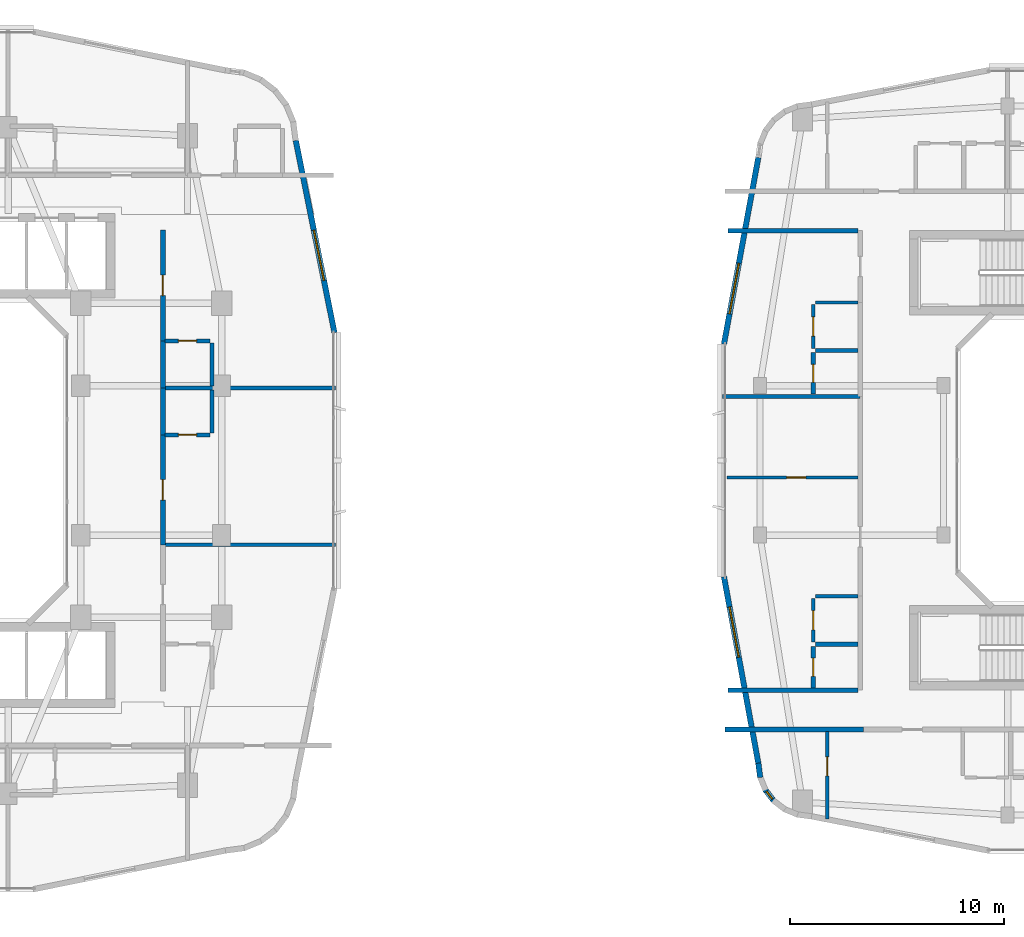
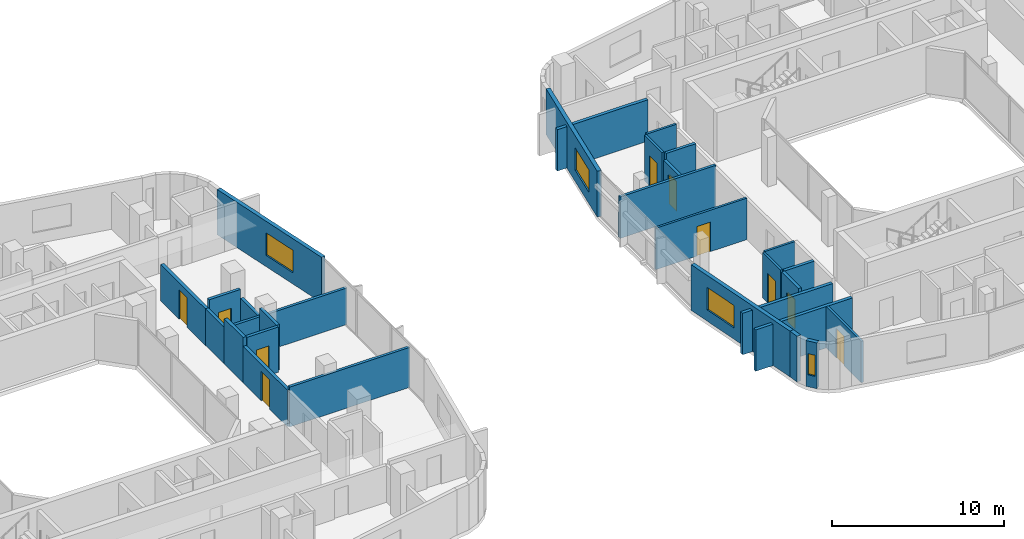
# One storey, part 15 of 26: 29 walls, 10 doors, 4 windows, 14 openings.
"""IFC4 building model written with IfcOpenShell, lengths in metres."""

from ifc_helpers import new_model, si_unit, derived_unit, direction, frame, frame_2d, origin, place, context, subcontext, project, spatial, rectangle, extrude, material, layer, layer_set, type_object, element, fill, save


model = new_model("IFC4")

# Units and contexts
model_context = context("Model", 3, precision=1e-05, world=origin(), true_north=direction((0.0, 1.0)))
body_context = subcontext(model_context, "Body", "Model", "MODEL_VIEW")
ifc_project = project(units=[si_unit("LENGTHUNIT", "METRE"), si_unit("AREAUNIT", "SQUARE_METRE"), si_unit("VOLUMEUNIT", "CUBIC_METRE"), si_unit("PLANEANGLEUNIT", "RADIAN"), si_unit("MASSUNIT", "GRAM", prefix="KILO"), derived_unit("THERMALTRANSMITTANCEUNIT", [(si_unit("POWERUNIT", "WATT"), 1), (si_unit("LENGTHUNIT", "METRE"), -2), (si_unit("THERMODYNAMICTEMPERATUREUNIT", "KELVIN"), -1)])], contexts=[model_context])

# Site, building, storey
site_placement = place(None, origin())
site = spatial("IfcSite", under=ifc_project, at=site_placement, CompositionType="ELEMENT")
building_placement = place(site_placement, origin())
building = spatial("IfcBuilding", under=site, at=building_placement, Name="Kivonza Crest Hotel", CompositionType="ELEMENT")
storey_placement = place(building_placement, frame((0.0, 0.0, 105.5)))
storey = spatial("IfcBuildingStorey", under=building, at=storey_placement, Name="L28", CompositionType="ELEMENT", Elevation=105.5)

# Walls
ifc_material_1 = material(Name="High-density acoustic masonry inter-tenancy wall", Category="masonry")
ifc_layer_1 = layer(ifc_material_1, 0.179931640625)
ifc_layer_set_1 = layer_set([ifc_layer_1], Name="High-density acoustic masonry inter-tenancy wall")
wall_type_1 = type_object("IfcWallType", Name="WL-ACOU-180", PredefinedType="SOLIDWALL", material=ifc_layer_set_1)
wall_1_placement = place(storey_placement, frame((33.050048828125, 21.049072265625, 0.0), z_axis=(0.0, 0.0, 1.0), x_axis=(1.0, 0.0, 0.0)))
element("IfcWall", 1, at=wall_1_placement, inside=storey, type_object=wall_type_1, Name="L28 interior partition WA-L28-T1E-DIV1", PredefinedType="SOLIDWALL", context=body_context, shape_type="SweptSolid", body=[
    extrude(rectangle(XDim=8.08984375, YDim=0.179931640625, at=frame_2d((4.044921875, 0.0))), origin(), (0.0, 0.0, 1.0), 2.8349609375),
])
wall_2_placement = place(storey_placement, frame((33.050048828125, 28.39306640625, 0.0), z_axis=(0.0, 0.0, 1.0), x_axis=(1.0, 0.0, 0.0)))
element("IfcWall", 2, at=wall_2_placement, inside=storey, type_object=wall_type_1, Name="L28 interior partition WA-L28-T1E-DIV2", PredefinedType="SOLIDWALL", context=body_context, shape_type="SweptSolid", body=[
    extrude(rectangle(XDim=8.08984375, YDim=0.179931640625, at=frame_2d((4.044921875, 0.0))), origin(), (0.0, 0.0, 1.0), 2.594970703125),
])
wall_3_placement = place(storey_placement, frame((59.260009765625, 28.0, 0.0), z_axis=(0.0, 0.0, 1.0), x_axis=(1.0, 0.0, 0.0)))
element("IfcWall", 3, at=wall_3_placement, inside=storey, type_object=wall_type_1, Name="L28 interior partition WA-L28-T2W-DIV1", PredefinedType="SOLIDWALL", context=body_context, shape_type="SweptSolid", body=[
    extrude(rectangle(XDim=6.43994140625, YDim=0.179931640625, at=frame_2d((3.219970703125, 0.0))), origin(), (0.0, 0.0, 1.0), 2.945068359375),
])
ifc_material_2 = material(Name="Autoclaved aerated concrete blockwork", Category="masonry")
ifc_layer_2 = layer(ifc_material_2, 0.219970703125)
ifc_layer_set_2 = layer_set([ifc_layer_2], Name="Autoclaved aerated concrete blockwork")
wall_type_2 = type_object("IfcWallType", Name="WL-ACOU-220", PredefinedType="SOLIDWALL", material=ifc_layer_set_2)
wall_4_placement = place(storey_placement, frame((33.050048828125, 26.193115234375, 0.0), z_axis=(0.0, 0.0, 1.0), x_axis=(0.0, 1.0, 0.0)))
element("IfcWall", 4, at=wall_4_placement, inside=storey, type_object=wall_type_2, Name="L28 interior partition WA-L28-E11-BCORR", PredefinedType="SOLIDWALL", context=body_context, shape_type="SweptSolid", body=[
    extrude(rectangle(XDim=2.199951171875, YDim=0.219970703125, at=frame_2d((1.10009765625, 0.0))), origin(), (0.0, 0.0, 1.0), 3.219970703125),
])

# Wall, opening, door
wall_5_placement = place(storey_placement, frame((33.050048828125, 21.049072265625, 0.0), z_axis=(0.0, 0.0, 1.0), x_axis=(0.0, 1.0, 0.0)))
wall_5 = element("IfcWall", 5, at=wall_5_placement, inside=storey, type_object=wall_type_2, Name="L28 interior partition WA-L28-E11-MCORR", PredefinedType="SOLIDWALL", context=body_context, shape_type="SweptSolid", body=[
    extrude(rectangle(XDim=5.14404296875, YDim=0.219970703125, at=frame_2d((2.572021484375, 0.0))), origin(), (0.0, 0.0, 1.0), 2.594970703125),
])
opening_1_placement = place(wall_5_placement, frame((2.096923828125, 0.0, 0.0)))
opening_1 = element("IfcOpeningElement", 6, at=opening_1_placement, cuts=wall_5, Name="Opening DU-60", PredefinedType="OPENING", context=body_context, shape_type="SweptSolid", body=[
    extrude(rectangle(XDim=0.949951171875, YDim=2.10009765625, at=frame_2d((0.47509765625, 1.050048828125))), frame((0.0, 0.1201171875, 0.0), z_axis=(0.0, -1.0, 0.0), x_axis=(1.0, 0.0, 0.0)), (0.0, 0.0, 1.0), 0.239990234375),
])
ifc_material_3 = material(Name="Hardwood timber oak", Category="wood")
door_type_1 = type_object("IfcDoorType", Name="DR-UNIT-950", OperationType="NOTDEFINED", PredefinedType="DOOR", material=ifc_material_3)
door_1_placement = place(opening_1_placement, frame((0.949951171875, 0.0, 0.0), z_axis=(0.0, 0.0, 1.0), x_axis=(-1.0, 0.0, 0.0)))
door_1 = element("IfcDoor", 7, at=door_1_placement, inside=storey, type_object=door_type_1, Name="L28 E11 guest unit entrance fire door", OperationType="SINGLE_SWING_LEFT", OverallHeight=2.10009765625, OverallWidth=0.949951171875, PredefinedType="DOOR", context=body_context, shape_type="SweptSolid", body=[
    extrude(rectangle(XDim=0.949951171875, YDim=2.10009765625, at=frame_2d((0.47509765625, 1.050048828125))), frame((0.0, 0.02490234375, 0.0), z_axis=(0.0, -1.0, 0.0), x_axis=(1.0, 0.0, 0.0)), (0.0, 0.0, 1.0), 0.050048828125),
])
fill(opening_1, door_1)

# Wall
wall_6_placement = place(storey_placement, frame((33.050048828125, 28.39306640625, 0.0), z_axis=(0.0, 0.0, 1.0), x_axis=(0.0, 1.0, 0.0)))
element("IfcWall", 8, at=wall_6_placement, inside=storey, type_object=wall_type_2, Name="L28 interior partition WA-L28-E12-BCORR", PredefinedType="SOLIDWALL", context=body_context, shape_type="SweptSolid", body=[
    extrude(rectangle(XDim=2.199951171875, YDim=0.219970703125, at=frame_2d((1.10009765625, 0.0))), origin(), (0.0, 0.0, 1.0), 2.594970703125),
])

# Wall, opening, door
wall_7_placement = place(storey_placement, frame((33.050048828125, 30.593017578125, 0.0), z_axis=(0.0, 0.0, 1.0), x_axis=(0.0, 1.0, 0.0)))
wall_7 = element("IfcWall", 9, at=wall_7_placement, inside=storey, type_object=wall_type_2, Name="L28 interior partition WA-L28-E12-MCORR", PredefinedType="SOLIDWALL", context=body_context, shape_type="SweptSolid", body=[
    extrude(rectangle(XDim=5.20703125, YDim=0.219970703125, at=frame_2d((2.603515625, 0.0))), origin(), (0.0, 0.0, 1.0), 2.594970703125),
])
opening_2_placement = place(wall_7_placement, frame((2.1279296875, 0.0, 0.0)))
opening_2 = element("IfcOpeningElement", 10, at=opening_2_placement, cuts=wall_7, Name="Opening DU-60", PredefinedType="OPENING", context=body_context, shape_type="SweptSolid", body=[
    extrude(rectangle(XDim=0.949951171875, YDim=2.10009765625, at=frame_2d((0.47509765625, 1.050048828125))), frame((0.0, 0.1201171875, 0.0), z_axis=(0.0, -1.0, 0.0), x_axis=(1.0, 0.0, 0.0)), (0.0, 0.0, 1.0), 0.239990234375),
])
door_2_placement = place(opening_2_placement, frame((0.949951171875, 0.0, 0.0), z_axis=(0.0, 0.0, 1.0), x_axis=(-1.0, 0.0, 0.0)))
door_2 = element("IfcDoor", 11, at=door_2_placement, inside=storey, type_object=door_type_1, Name="L28 E12 guest unit entrance fire door", OperationType="SINGLE_SWING_RIGHT", OverallHeight=2.10009765625, OverallWidth=0.949951171875, PredefinedType="DOOR", context=body_context, shape_type="SweptSolid", body=[
    extrude(rectangle(XDim=0.949951171875, YDim=2.10009765625, at=frame_2d((0.47509765625, 1.050048828125))), frame((0.0, 0.02490234375, 0.0), z_axis=(0.0, -1.0, 0.0), x_axis=(1.0, 0.0, 0.0)), (0.0, 0.0, 1.0), 0.050048828125),
])
fill(opening_2, door_2)

# Walls
wall_8_placement = place(storey_placement, frame((59.360107421875, 12.39990234375, 0.0), z_axis=(0.0, 0.0, 1.0), x_axis=(1.0, 0.0, 0.0)))
element("IfcWall", 12, at=wall_8_placement, inside=storey, type_object=wall_type_2, Name="L28 interior partition WA-L28-A04-LCORR", PredefinedType="SOLIDWALL", context=body_context, shape_type="SweptSolid", body=[
    extrude(rectangle(XDim=6.489990234375, YDim=0.219970703125, at=frame_2d((3.2451171875, 0.0))), origin(), (0.0, 0.0, 1.0), 2.945068359375),
])
for number, where, z_axis, x_axis, name in (
    (13, (59.52001953125, 14.239990234375, 0.0), (0.0, 0.0, 1.0), (1.0, 0.0, 0.0), "L28 interior partition WA-L28-T2W-ENDS"),
    (14, (59.52001953125, 35.760009765625, 0.0), (0.0, 0.0, 1.0), (1.0, 0.0, 0.0), "L28 interior partition WA-L28-T2W-ENDN"),
):
    element("IfcWall", number, at=place(storey_placement, frame(where, z_axis=z_axis, x_axis=x_axis)), inside=storey, type_object=wall_type_2, Name=name, PredefinedType="SOLIDWALL", context=body_context, shape_type="SweptSolid", body=[
        extrude(rectangle(XDim=6.080078125, YDim=0.219970703125, at=frame_2d((3.0400390625, 0.0))), origin(), (0.0, 0.0, 1.0), 2.945068359375),
    ])

# Wall, opening, window
ifc_material_4 = material(Name="Precast concrete C40/50", Category="concrete")
ifc_layer_3 = layer(ifc_material_4, 0.260009765625)
ifc_layer_set_3 = layer_set([ifc_layer_3], Name="Precast concrete C40/50")
wall_type_3 = type_object("IfcWallType", Name="WL-EXT-260", PredefinedType="STANDARD", material=ifc_layer_set_3)
wall_9_placement = place(storey_placement, frame((41.083984375, 30.97998046875, 0.0), z_axis=(0.0, 0.0, 1.0), x_axis=(-0.197435082048, 0.980315963543, 0.0)))
wall_9 = element("IfcWall", 15, at=wall_9_placement, inside=storey, type_object=wall_type_3, Name="L28 T1 exterior insulated wall 18", PredefinedType="STANDARD", context=body_context, shape_type="SweptSolid", body=[
    extrude(rectangle(XDim=9.1826171875, YDim=0.260009765625, at=frame_2d((4.59130859375, 0.0))), origin(), (0.0, 0.0, 1.0), 3.219970703125),
])
opening_3_placement = place(wall_9_placement, frame((2.4970703125, 0.0, 0.800048828125)))
opening_3 = element("IfcOpeningElement", 16, at=opening_3_placement, cuts=wall_9, Name="Opening WN-05", PredefinedType="OPENING", context=body_context, shape_type="SweptSolid", body=[
    extrude(rectangle(XDim=2.39990234375, YDim=1.60009765625, at=frame_2d((1.199951171875, 0.800048828125))), frame((0.0, 0.14013671875, 0.0), z_axis=(0.0, -1.0, 0.0), x_axis=(1.0, 0.0, 0.0)), (0.0, 0.0, 1.0), 0.280029296875),
])
ifc_material_5 = material(Name="Thermally broken bronze aluminium and low-E double glazing", Category="aluminium")
window_type_1 = type_object("IfcWindowType", Name="WN-240x160", PartitioningType="TRIPLE_PANEL_VERTICAL", PredefinedType="WINDOW", material=ifc_material_5)
window_1_placement = place(opening_3_placement, origin())
window_1 = element("IfcWindow", 17, at=window_1_placement, inside=storey, type_object=window_type_1, Name="L28 T1 facade window 18", OverallHeight=1.60009765625, OverallWidth=2.39990234375, PartitioningType="SINGLE_PANEL", PredefinedType="WINDOW", context=body_context, shape_type="SweptSolid", body=[
    extrude(rectangle(XDim=2.39990234375, YDim=1.60009765625, at=frame_2d((1.199951171875, 0.800048828125))), frame((0.0, 0.030029296875, 0.0), z_axis=(0.0, -1.0, 0.0), x_axis=(1.0, 0.0, 0.0)), (0.0, 0.0, 1.0), 0.06005859375),
])
fill(opening_3, window_1)

# Wall
wall_10_placement = place(storey_placement, frame((60.927978515625, 10.824951171875, 0.0), z_axis=(0.0, 0.0, 1.0), x_axis=(0.131667498923, -0.991293937098, 0.0)))
element("IfcWall", 18, at=wall_10_placement, inside=storey, type_object=wall_type_3, Name="L28 T2 exterior insulated wall 1", PredefinedType="STANDARD", context=body_context, shape_type="SweptSolid", body=[
    extrude(rectangle(XDim=0.6767578125, YDim=0.260009765625, at=frame_2d((0.33837890625, 0.0))), origin(), (0.0, 0.0, 1.0), 3.25),
])

# Wall, opening, window
wall_11_placement = place(storey_placement, frame((61.236083984375, 9.59912109375, 0.0), z_axis=(0.0, 0.0, 1.0), x_axis=(0.609472651958, -0.792807092876, 0.0)))
wall_11 = element("IfcWall", 19, at=wall_11_placement, inside=storey, type_object=wall_type_3, Name="L28 T2 exterior insulated wall 3", PredefinedType="STANDARD", context=body_context, shape_type="SweptSolid", body=[
    extrude(rectangle(XDim=0.69384765625, YDim=0.260009765625, at=frame_2d((0.346923828125, 0.0))), origin(), (0.0, 0.0, 1.0), 3.25),
])
opening_4_placement = place(wall_11_placement, frame((0.1220703125, 0.0, 0.85009765625)))
opening_4 = element("IfcOpeningElement", 20, at=opening_4_placement, cuts=wall_11, Name="Opening WN-11", PredefinedType="OPENING", context=body_context, shape_type="SweptSolid", body=[
    extrude(rectangle(XDim=0.449951171875, YDim=1.5, at=frame_2d((0.22509765625, 0.75))), frame((0.0, 0.14013671875, 0.0), z_axis=(0.0, -1.0, 0.0), x_axis=(1.0, 0.0, 0.0)), (0.0, 0.0, 1.0), 0.280029296875),
])
window_type_2 = type_object("IfcWindowType", Name="WN-045x150", PartitioningType="SINGLE_PANEL", PredefinedType="WINDOW", material=ifc_material_5)
window_2_placement = place(opening_4_placement, origin())
window_2 = element("IfcWindow", 21, at=window_2_placement, inside=storey, type_object=window_type_2, Name="L28 corner vision window 5", OverallHeight=1.5, OverallWidth=0.449951171875, PartitioningType="SINGLE_PANEL", PredefinedType="WINDOW", context=body_context, shape_type="SweptSolid", body=[
    extrude(rectangle(XDim=0.449951171875, YDim=1.5, at=frame_2d((0.22509765625, 0.75))), frame((0.0, 0.030029296875, 0.0), z_axis=(0.0, -1.0, 0.0), x_axis=(1.0, 0.0, 0.0)), (0.0, 0.0, 1.0), 0.06005859375),
])
fill(opening_4, window_2)

wall_12_placement = place(storey_placement, frame((60.928955078125, 39.18408203125, 0.0), z_axis=(0.0, 0.0, 1.0), x_axis=(-0.181209963057, -0.983444431215, 0.0)))
wall_12 = element("IfcWall", 22, at=wall_12_placement, inside=storey, type_object=wall_type_3, Name="L28 T2 exterior insulated wall 34", PredefinedType="STANDARD", context=body_context, shape_type="SweptSolid", body=[
    extrude(rectangle(XDim=8.889404296875, YDim=0.260009765625, at=frame_2d((4.44482421875, 0.0))), origin(), (0.0, 0.0, 1.0), 3.25),
])
opening_5_placement = place(wall_12_placement, frame((5.044921875, 0.0, 0.800048828125)))
opening_5 = element("IfcOpeningElement", 23, at=opening_5_placement, cuts=wall_12, Name="Opening WN-05", PredefinedType="OPENING", context=body_context, shape_type="SweptSolid", body=[
    extrude(rectangle(XDim=2.39990234375, YDim=1.60009765625, at=frame_2d((1.199951171875, 0.800048828125))), frame((0.0, 0.14013671875, 0.0), z_axis=(0.0, -1.0, 0.0), x_axis=(1.0, 0.0, 0.0)), (0.0, 0.0, 1.0), 0.280029296875),
])
window_3_placement = place(opening_5_placement, origin())
window_3 = element("IfcWindow", 24, at=window_3_placement, inside=storey, type_object=window_type_1, Name="L28 T2 facade window 34", OverallHeight=1.60009765625, OverallWidth=2.39990234375, PartitioningType="SINGLE_PANEL", PredefinedType="WINDOW", context=body_context, shape_type="SweptSolid", body=[
    extrude(rectangle(XDim=2.39990234375, YDim=1.60009765625, at=frame_2d((1.199951171875, 0.800048828125))), frame((0.0, 0.030029296875, 0.0), z_axis=(0.0, -1.0, 0.0), x_axis=(1.0, 0.0, 0.0)), (0.0, 0.0, 1.0), 0.06005859375),
])
fill(opening_5, window_3)

wall_13_placement = place(storey_placement, frame((59.318115234375, 19.55810546875, 0.0), z_axis=(0.0, 0.0, 1.0), x_axis=(0.181209963057, -0.983444431215, 0.0)))
wall_13 = element("IfcWall", 25, at=wall_13_placement, inside=storey, type_object=wall_type_3, Name="L28 T2 exterior insulated wall 36", PredefinedType="STANDARD", context=body_context, shape_type="SweptSolid", body=[
    extrude(rectangle(XDim=8.889404296875, YDim=0.260009765625, at=frame_2d((4.44482421875, 0.0))), origin(), (0.0, 0.0, 1.0), 3.25),
])
opening_6_placement = place(wall_13_placement, frame((1.444091796875, 0.0, 0.800048828125)))
opening_6 = element("IfcOpeningElement", 26, at=opening_6_placement, cuts=wall_13, Name="Opening WN-05", PredefinedType="OPENING", context=body_context, shape_type="SweptSolid", body=[
    extrude(rectangle(XDim=2.39990234375, YDim=1.60009765625, at=frame_2d((1.199951171875, 0.800048828125))), frame((0.0, 0.14013671875, 0.0), z_axis=(0.0, -1.0, 0.0), x_axis=(1.0, 0.0, 0.0)), (0.0, 0.0, 1.0), 0.280029296875),
])
window_4_placement = place(opening_6_placement, origin())
window_4 = element("IfcWindow", 27, at=window_4_placement, inside=storey, type_object=window_type_1, Name="L28 T2 facade window 36", OverallHeight=1.60009765625, OverallWidth=2.39990234375, PartitioningType="SINGLE_PANEL", PredefinedType="WINDOW", context=body_context, shape_type="SweptSolid", body=[
    extrude(rectangle(XDim=2.39990234375, YDim=1.60009765625, at=frame_2d((1.199951171875, 0.800048828125))), frame((0.0, 0.030029296875, 0.0), z_axis=(0.0, -1.0, 0.0), x_axis=(1.0, 0.0, 0.0)), (0.0, 0.0, 1.0), 0.06005859375),
])
fill(opening_6, window_4)

# Wall, opening, door
ifc_material_6 = material(Name="Twin-stud acoustic gypsum board partition", Category="gypsum")
ifc_layer_4 = layer(ifc_material_6, 0.14990234375)
ifc_layer_set_4 = layer_set([ifc_layer_4], Name="Twin-stud acoustic gypsum board partition")
wall_type_4 = type_object("IfcWallType", Name="WL-PART-150", PredefinedType="PARTITIONING", material=ifc_layer_set_4)
wall_14_placement = place(storey_placement, frame((64.159912109375, 8.214111328125, 0.0), z_axis=(0.0, 0.0, 1.0), x_axis=(0.0, 1.0, 0.0)))
wall_14 = element("IfcWall", 28, at=wall_14_placement, inside=storey, type_object=wall_type_4, Name="L28 interior partition WP-L28-A04-BDW1", PredefinedType="PARTITIONING", context=body_context, shape_type="SweptSolid", body=[
    extrude(rectangle(XDim=4.0859375, YDim=0.14990234375, at=frame_2d((2.04296875, 0.0))), origin(), (0.0, 0.0, 1.0), 2.945068359375),
])
opening_7_placement = place(wall_14_placement, frame((2.010009765625, 0.0, 0.0)))
opening_7 = element("IfcOpeningElement", 29, at=opening_7_placement, cuts=wall_14, Name="Opening DI-90", PredefinedType="OPENING", context=body_context, shape_type="SweptSolid", body=[
    extrude(rectangle(XDim=0.89990234375, YDim=2.10009765625, at=frame_2d((0.449951171875, 1.050048828125))), frame((0.0, 0.0849609375, 0.0), z_axis=(0.0, -1.0, 0.0), x_axis=(1.0, 0.0, 0.0)), (0.0, 0.0, 1.0), 0.169921875),
])
door_type_2 = type_object("IfcDoorType", Name="DR-INT-900", OperationType="NOTDEFINED", PredefinedType="DOOR", material=ifc_material_3)
door_3_placement = place(opening_7_placement, origin())
door_3 = element("IfcDoor", 30, at=door_3_placement, inside=storey, type_object=door_type_2, Name="L28 A04 bedroom 1 door", OperationType="SINGLE_SWING_LEFT", OverallHeight=2.10009765625, OverallWidth=0.89990234375, PredefinedType="DOOR", context=body_context, shape_type="SweptSolid", body=[
    extrude(rectangle(XDim=0.89990234375, YDim=2.10009765625, at=frame_2d((0.449951171875, 1.050048828125))), frame((0.0, 0.02490234375, 0.0), z_axis=(0.0, -1.0, 0.0), x_axis=(1.0, 0.0, 0.0)), (0.0, 0.0, 1.0), 0.050048828125),
])
fill(opening_7, door_3)

wall_15_placement = place(storey_placement, frame((59.4599609375, 24.199951171875, 0.0), z_axis=(0.0, 0.0, 1.0), x_axis=(1.0, 0.0, 0.0)))
wall_15 = element("IfcWall", 31, at=wall_15_placement, inside=storey, type_object=wall_type_4, Name="L28 interior partition WP-L28-A06-BD1", PredefinedType="PARTITIONING", context=body_context, shape_type="SweptSolid", body=[
    extrude(rectangle(XDim=6.14013671875, YDim=0.14990234375, at=frame_2d((3.070068359375, 0.0))), origin(), (0.0, 0.0, 1.0), 2.945068359375),
])
opening_8_placement = place(wall_15_placement, frame((2.7900390625, 0.0, 0.0)))
opening_8 = element("IfcOpeningElement", 32, at=opening_8_placement, cuts=wall_15, Name="Opening DI-90", PredefinedType="OPENING", context=body_context, shape_type="SweptSolid", body=[
    extrude(rectangle(XDim=0.89990234375, YDim=2.10009765625, at=frame_2d((0.449951171875, 1.050048828125))), frame((0.0, 0.0849609375, 0.0), z_axis=(0.0, -1.0, 0.0), x_axis=(1.0, 0.0, 0.0)), (0.0, 0.0, 1.0), 0.169921875),
])
door_4_placement = place(opening_8_placement, origin())
door_4 = element("IfcDoor", 33, at=door_4_placement, inside=storey, type_object=door_type_2, Name="L28 A06 bedroom door", OperationType="SINGLE_SWING_LEFT", OverallHeight=2.10009765625, OverallWidth=0.89990234375, PredefinedType="DOOR", context=body_context, shape_type="SweptSolid", body=[
    extrude(rectangle(XDim=0.89990234375, YDim=2.10009765625, at=frame_2d((0.449951171875, 1.050048828125))), frame((0.0, 0.02490234375, 0.0), z_axis=(0.0, -1.0, 0.0), x_axis=(1.0, 0.0, 0.0)), (0.0, 0.0, 1.0), 0.050048828125),
])
fill(opening_8, door_4)

# Wall
wall_16_placement = place(storey_placement, frame((63.60009765625, 18.639892578125, 0.0), z_axis=(0.0, 0.0, 1.0), x_axis=(1.0, 0.0, 0.0)))
element("IfcWall", 34, at=wall_16_placement, inside=storey, type_object=wall_type_4, Name="L28 interior partition WP-L28-A06-KF", PredefinedType="PARTITIONING", context=body_context, shape_type="SweptSolid", body=[
    extrude(rectangle(XDim=2.0, YDim=0.14990234375, at=frame_2d((1.0, 0.0))), origin(), (0.0, 0.0, 1.0), 3.219970703125),
])

# Wall, opening, door
wall_17_placement = place(storey_placement, frame((63.5, 16.489990234375, 0.0), z_axis=(0.0, 0.0, 1.0), x_axis=(0.0, 1.0, 0.0)))
wall_17 = element("IfcWall", 35, at=wall_17_placement, inside=storey, type_object=wall_type_4, Name="L28 interior partition WP-L28-A06-KSVC", PredefinedType="PARTITIONING", context=body_context, shape_type="SweptSolid", body=[
    extrude(rectangle(XDim=2.050048828125, YDim=0.14990234375, at=frame_2d((1.02490234375, 0.0))), origin(), (0.0, 0.0, 1.0), 3.219970703125),
])
opening_9_placement = place(wall_17_placement, frame((0.574951171875, 0.0, 0.0)))
opening_9 = element("IfcOpeningElement", 36, at=opening_9_placement, cuts=wall_17, Name="Opening DI-90", PredefinedType="OPENING", context=body_context, shape_type="SweptSolid", body=[
    extrude(rectangle(XDim=0.89990234375, YDim=2.10009765625, at=frame_2d((0.449951171875, 1.050048828125))), frame((0.0, 0.0849609375, 0.0), z_axis=(0.0, -1.0, 0.0), x_axis=(1.0, 0.0, 0.0)), (0.0, 0.0, 1.0), 0.169921875),
])
door_5_placement = place(opening_9_placement, origin())
door_5 = element("IfcDoor", 37, at=door_5_placement, inside=storey, type_object=door_type_2, Name="L28 A06 apartment kitchen door", OperationType="SINGLE_SWING_RIGHT", OverallHeight=2.10009765625, OverallWidth=0.89990234375, PredefinedType="DOOR", context=body_context, shape_type="SweptSolid", body=[
    extrude(rectangle(XDim=0.89990234375, YDim=2.10009765625, at=frame_2d((0.449951171875, 1.050048828125))), frame((0.0, 0.02490234375, 0.0), z_axis=(0.0, -1.0, 0.0), x_axis=(1.0, 0.0, 0.0)), (0.0, 0.0, 1.0), 0.050048828125),
])
fill(opening_9, door_5)

# Wall
wall_18_placement = place(storey_placement, frame((63.60009765625, 32.39990234375, 0.0), z_axis=(0.0, 0.0, 1.0), x_axis=(1.0, 0.0, 0.0)))
element("IfcWall", 38, at=wall_18_placement, inside=storey, type_object=wall_type_4, Name="L28 interior partition WP-L28-A07-KF", PredefinedType="PARTITIONING", context=body_context, shape_type="SweptSolid", body=[
    extrude(rectangle(XDim=2.0, YDim=0.14990234375, at=frame_2d((1.0, 0.0))), origin(), (0.0, 0.0, 1.0), 3.219970703125),
])

# Wall, opening, door
wall_19_placement = place(storey_placement, frame((63.5, 30.25, 0.0), z_axis=(0.0, 0.0, 1.0), x_axis=(0.0, 1.0, 0.0)))
wall_19 = element("IfcWall", 39, at=wall_19_placement, inside=storey, type_object=wall_type_4, Name="L28 interior partition WP-L28-A07-KSVC", PredefinedType="PARTITIONING", context=body_context, shape_type="SweptSolid", body=[
    extrude(rectangle(XDim=2.050048828125, YDim=0.14990234375, at=frame_2d((1.02490234375, 0.0))), origin(), (0.0, 0.0, 1.0), 3.219970703125),
])
opening_10_placement = place(wall_19_placement, frame((0.574951171875, 0.0, 0.0)))
opening_10 = element("IfcOpeningElement", 40, at=opening_10_placement, cuts=wall_19, Name="Opening DI-90", PredefinedType="OPENING", context=body_context, shape_type="SweptSolid", body=[
    extrude(rectangle(XDim=0.89990234375, YDim=2.10009765625, at=frame_2d((0.449951171875, 1.050048828125))), frame((0.0, 0.0849609375, 0.0), z_axis=(0.0, -1.0, 0.0), x_axis=(1.0, 0.0, 0.0)), (0.0, 0.0, 1.0), 0.169921875),
])
door_6_placement = place(opening_10_placement, origin())
door_6 = element("IfcDoor", 41, at=door_6_placement, inside=storey, type_object=door_type_2, Name="L28 A07 apartment kitchen door", OperationType="SINGLE_SWING_LEFT", OverallHeight=2.10009765625, OverallWidth=0.89990234375, PredefinedType="DOOR", context=body_context, shape_type="SweptSolid", body=[
    extrude(rectangle(XDim=0.89990234375, YDim=2.10009765625, at=frame_2d((0.449951171875, 1.050048828125))), frame((0.0, 0.02490234375, 0.0), z_axis=(0.0, -1.0, 0.0), x_axis=(1.0, 0.0, 0.0)), (0.0, 0.0, 1.0), 0.050048828125),
])
fill(opening_10, door_6)

ifc_material_7 = material(Name="Moisture-resistant plumbing chase partition wall", Category="gypsum")
ifc_layer_5 = layer(ifc_material_7, 0.199951171875)
ifc_layer_set_5 = layer_set([ifc_layer_5], Name="Moisture-resistant plumbing chase partition wall")
wall_type_5 = type_object("IfcWallType", Name="WL-PLUMB-200", PredefinedType="PLUMBINGWALL", material=ifc_layer_set_5)
wall_20_placement = place(storey_placement, frame((33.14990234375, 26.193115234375, 0.0), z_axis=(0.0, 0.0, 1.0), x_axis=(1.0, 0.0, 0.0)))
wall_20 = element("IfcWall", 42, at=wall_20_placement, inside=storey, type_object=wall_type_5, Name="L28 interior partition WW-L28-E11-BH", PredefinedType="PLUMBINGWALL", context=body_context, shape_type="SweptSolid", body=[
    extrude(rectangle(XDim=2.10009765625, YDim=0.199951171875, at=frame_2d((1.050048828125, 0.0))), origin(), (0.0, 0.0, 1.0), 3.219970703125),
])
opening_11_placement = place(wall_20_placement, frame((0.625, 0.0, 0.0)))
opening_11 = element("IfcOpeningElement", 43, at=opening_11_placement, cuts=wall_20, Name="Opening DI-85", PredefinedType="OPENING", context=body_context, shape_type="SweptSolid", body=[
    extrude(rectangle(XDim=0.85009765625, YDim=2.10009765625, at=frame_2d((0.425048828125, 1.050048828125))), frame((0.0, 0.10986328125, 0.0), z_axis=(0.0, -1.0, 0.0), x_axis=(1.0, 0.0, 0.0)), (0.0, 0.0, 1.0), 0.219970703125),
])
door_type_3 = type_object("IfcDoorType", Name="DR-INT-850", OperationType="NOTDEFINED", PredefinedType="DOOR", material=ifc_material_3)
door_7_placement = place(opening_11_placement, frame((0.85009765625, 0.0, 0.0), z_axis=(0.0, 0.0, 1.0), x_axis=(-1.0, 0.0, 0.0)))
door_7 = element("IfcDoor", 44, at=door_7_placement, inside=storey, type_object=door_type_3, Name="L28 E11 en-suite bathroom door", OperationType="SINGLE_SWING_RIGHT", OverallHeight=2.10009765625, OverallWidth=0.85009765625, PredefinedType="DOOR", context=body_context, shape_type="SweptSolid", body=[
    extrude(rectangle(XDim=0.85009765625, YDim=2.10009765625, at=frame_2d((0.425048828125, 1.050048828125))), frame((0.0, 0.02490234375, 0.0), z_axis=(0.0, -1.0, 0.0), x_axis=(1.0, 0.0, 0.0)), (0.0, 0.0, 1.0), 0.050048828125),
])
fill(opening_11, door_7)

# Wall
wall_21_placement = place(storey_placement, frame((35.35009765625, 26.29296875, 0.0), z_axis=(0.0, 0.0, 1.0), x_axis=(0.0, 1.0, 0.0)))
element("IfcWall", 45, at=wall_21_placement, inside=storey, type_object=wall_type_5, Name="L28 interior partition WW-L28-E11-BV", PredefinedType="PLUMBINGWALL", context=body_context, shape_type="SweptSolid", body=[
    extrude(rectangle(XDim=2.0, YDim=0.199951171875, at=frame_2d((1.0, 0.0))), origin(), (0.0, 0.0, 1.0), 3.219970703125),
])

# Wall, opening, door
wall_22_placement = place(storey_placement, frame((33.14990234375, 30.593017578125, 0.0), z_axis=(0.0, 0.0, 1.0), x_axis=(1.0, 0.0, 0.0)))
wall_22 = element("IfcWall", 46, at=wall_22_placement, inside=storey, type_object=wall_type_5, Name="L28 interior partition WW-L28-E12-BH", PredefinedType="PLUMBINGWALL", context=body_context, shape_type="SweptSolid", body=[
    extrude(rectangle(XDim=2.10009765625, YDim=0.199951171875, at=frame_2d((1.050048828125, 0.0))), origin(), (0.0, 0.0, 1.0), 3.219970703125),
])
opening_12_placement = place(wall_22_placement, frame((0.625, 0.0, 0.0)))
opening_12 = element("IfcOpeningElement", 47, at=opening_12_placement, cuts=wall_22, Name="Opening DI-85", PredefinedType="OPENING", context=body_context, shape_type="SweptSolid", body=[
    extrude(rectangle(XDim=0.85009765625, YDim=2.10009765625, at=frame_2d((0.425048828125, 1.050048828125))), frame((0.0, 0.10986328125, 0.0), z_axis=(0.0, -1.0, 0.0), x_axis=(1.0, 0.0, 0.0)), (0.0, 0.0, 1.0), 0.219970703125),
])
door_8_placement = place(opening_12_placement, origin())
door_8 = element("IfcDoor", 48, at=door_8_placement, inside=storey, type_object=door_type_3, Name="L28 E12 en-suite bathroom door", OperationType="SINGLE_SWING_LEFT", OverallHeight=2.10009765625, OverallWidth=0.85009765625, PredefinedType="DOOR", context=body_context, shape_type="SweptSolid", body=[
    extrude(rectangle(XDim=0.85009765625, YDim=2.10009765625, at=frame_2d((0.425048828125, 1.050048828125))), frame((0.0, 0.02490234375, 0.0), z_axis=(0.0, -1.0, 0.0), x_axis=(1.0, 0.0, 0.0)), (0.0, 0.0, 1.0), 0.050048828125),
])
fill(opening_12, door_8)

# Walls
wall_23_placement = place(storey_placement, frame((35.35009765625, 28.492919921875, 0.0), z_axis=(0.0, 0.0, 1.0), x_axis=(0.0, 1.0, 0.0)))
element("IfcWall", 49, at=wall_23_placement, inside=storey, type_object=wall_type_5, Name="L28 interior partition WW-L28-E12-BV", PredefinedType="PLUMBINGWALL", context=body_context, shape_type="SweptSolid", body=[
    extrude(rectangle(XDim=2.0, YDim=0.199951171875, at=frame_2d((1.0, 0.0))), origin(), (0.0, 0.0, 1.0), 2.594970703125),
])
wall_24_placement = place(storey_placement, frame((63.60009765625, 16.389892578125, 0.0), z_axis=(0.0, 0.0, 1.0), x_axis=(1.0, 0.0, 0.0)))
element("IfcWall", 50, at=wall_24_placement, inside=storey, type_object=wall_type_5, Name="L28 interior partition WW-L28-A06-BK", PredefinedType="PLUMBINGWALL", context=body_context, shape_type="SweptSolid", body=[
    extrude(rectangle(XDim=2.0, YDim=0.199951171875, at=frame_2d((1.0, 0.0))), origin(), (0.0, 0.0, 1.0), 3.219970703125),
])

# Wall, opening, door
wall_25_placement = place(storey_placement, frame((63.5, 14.340087890625, 0.0), z_axis=(0.0, 0.0, 1.0), x_axis=(0.0, 1.0, 0.0)))
wall_25 = element("IfcWall", 51, at=wall_25_placement, inside=storey, type_object=wall_type_5, Name="L28 interior partition WW-L28-A06-BSVC", PredefinedType="PLUMBINGWALL", context=body_context, shape_type="SweptSolid", body=[
    extrude(rectangle(XDim=1.949951171875, YDim=0.199951171875, at=frame_2d((0.97509765625, 0.0))), origin(), (0.0, 0.0, 1.0), 3.219970703125),
])
opening_13_placement = place(wall_25_placement, frame((0.550048828125, 0.0, 0.0)))
opening_13 = element("IfcOpeningElement", 52, at=opening_13_placement, cuts=wall_25, Name="Opening DI-85", PredefinedType="OPENING", context=body_context, shape_type="SweptSolid", body=[
    extrude(rectangle(XDim=0.85009765625, YDim=2.10009765625, at=frame_2d((0.425048828125, 1.050048828125))), frame((0.0, 0.10986328125, 0.0), z_axis=(0.0, -1.0, 0.0), x_axis=(1.0, 0.0, 0.0)), (0.0, 0.0, 1.0), 0.219970703125),
])
door_9_placement = place(opening_13_placement, origin())
door_9 = element("IfcDoor", 53, at=door_9_placement, inside=storey, type_object=door_type_3, Name="L28 A06 apartment bathroom door", OperationType="SINGLE_SWING_LEFT", OverallHeight=2.10009765625, OverallWidth=0.85009765625, PredefinedType="DOOR", context=body_context, shape_type="SweptSolid", body=[
    extrude(rectangle(XDim=0.85009765625, YDim=2.10009765625, at=frame_2d((0.425048828125, 1.050048828125))), frame((0.0, 0.02490234375, 0.0), z_axis=(0.0, -1.0, 0.0), x_axis=(1.0, 0.0, 0.0)), (0.0, 0.0, 1.0), 0.050048828125),
])
fill(opening_13, door_9)

# Wall
wall_26_placement = place(storey_placement, frame((63.60009765625, 30.14990234375, 0.0), z_axis=(0.0, 0.0, 1.0), x_axis=(1.0, 0.0, 0.0)))
element("IfcWall", 54, at=wall_26_placement, inside=storey, type_object=wall_type_5, Name="L28 interior partition WW-L28-A07-BK", PredefinedType="PLUMBINGWALL", context=body_context, shape_type="SweptSolid", body=[
    extrude(rectangle(XDim=2.0, YDim=0.199951171875, at=frame_2d((1.0, 0.0))), origin(), (0.0, 0.0, 1.0), 3.219970703125),
])

# Wall, opening, door
wall_27_placement = place(storey_placement, frame((63.5, 28.10009765625, 0.0), z_axis=(0.0, 0.0, 1.0), x_axis=(0.0, 1.0, 0.0)))
wall_27 = element("IfcWall", 55, at=wall_27_placement, inside=storey, type_object=wall_type_5, Name="L28 interior partition WW-L28-A07-BSVC", PredefinedType="PLUMBINGWALL", context=body_context, shape_type="SweptSolid", body=[
    extrude(rectangle(XDim=1.949951171875, YDim=0.199951171875, at=frame_2d((0.97509765625, 0.0))), origin(), (0.0, 0.0, 1.0), 2.824951171875),
])
opening_14_placement = place(wall_27_placement, frame((0.550048828125, 0.0, 0.0)))
opening_14 = element("IfcOpeningElement", 56, at=opening_14_placement, cuts=wall_27, Name="Opening DI-85", PredefinedType="OPENING", context=body_context, shape_type="SweptSolid", body=[
    extrude(rectangle(XDim=0.85009765625, YDim=2.10009765625, at=frame_2d((0.425048828125, 1.050048828125))), frame((0.0, 0.10986328125, 0.0), z_axis=(0.0, -1.0, 0.0), x_axis=(1.0, 0.0, 0.0)), (0.0, 0.0, 1.0), 0.219970703125),
])
door_10_placement = place(opening_14_placement, origin())
door_10 = element("IfcDoor", 57, at=door_10_placement, inside=storey, type_object=door_type_3, Name="L28 A07 apartment bathroom door", OperationType="SINGLE_SWING_RIGHT", OverallHeight=2.10009765625, OverallWidth=0.85009765625, PredefinedType="DOOR", context=body_context, shape_type="SweptSolid", body=[
    extrude(rectangle(XDim=0.85009765625, YDim=2.10009765625, at=frame_2d((0.425048828125, 1.050048828125))), frame((0.0, 0.02490234375, 0.0), z_axis=(0.0, -1.0, 0.0), x_axis=(1.0, 0.0, 0.0)), (0.0, 0.0, 1.0), 0.050048828125),
])
fill(opening_14, door_10)

save(model, "model.ifc")
